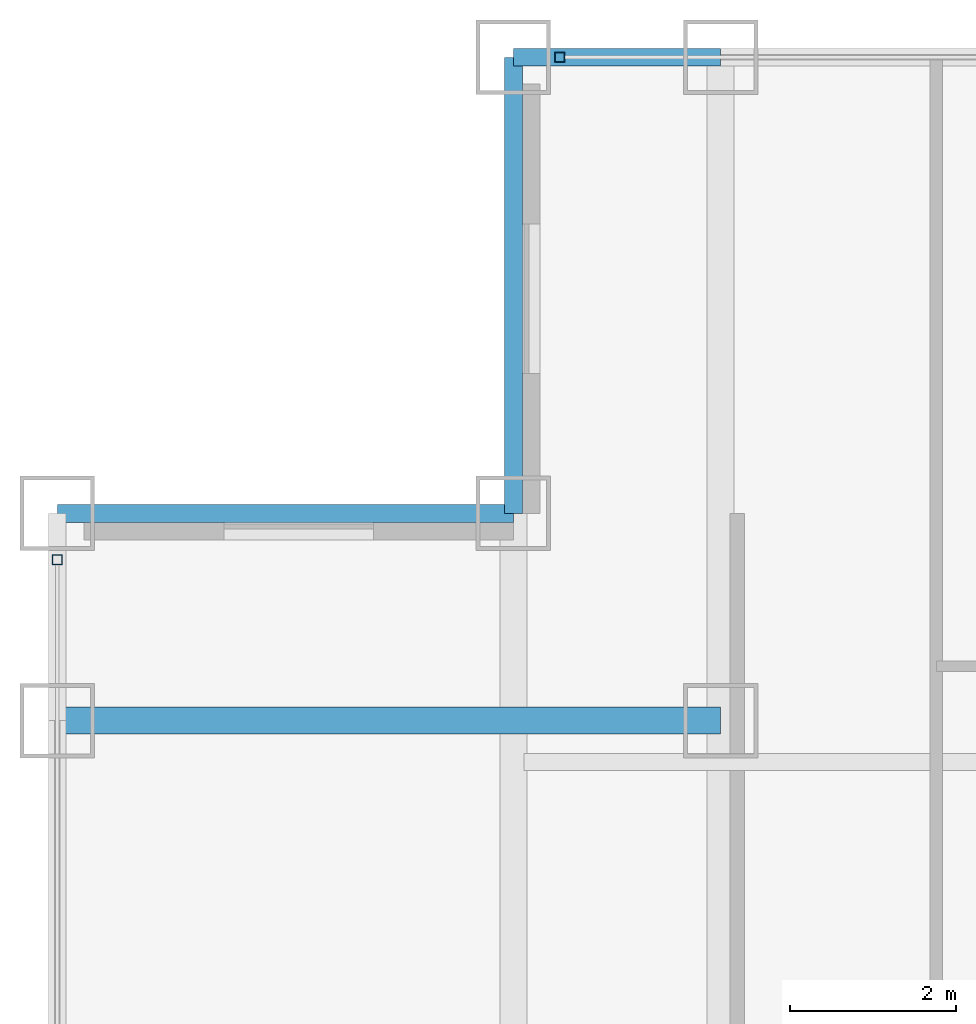
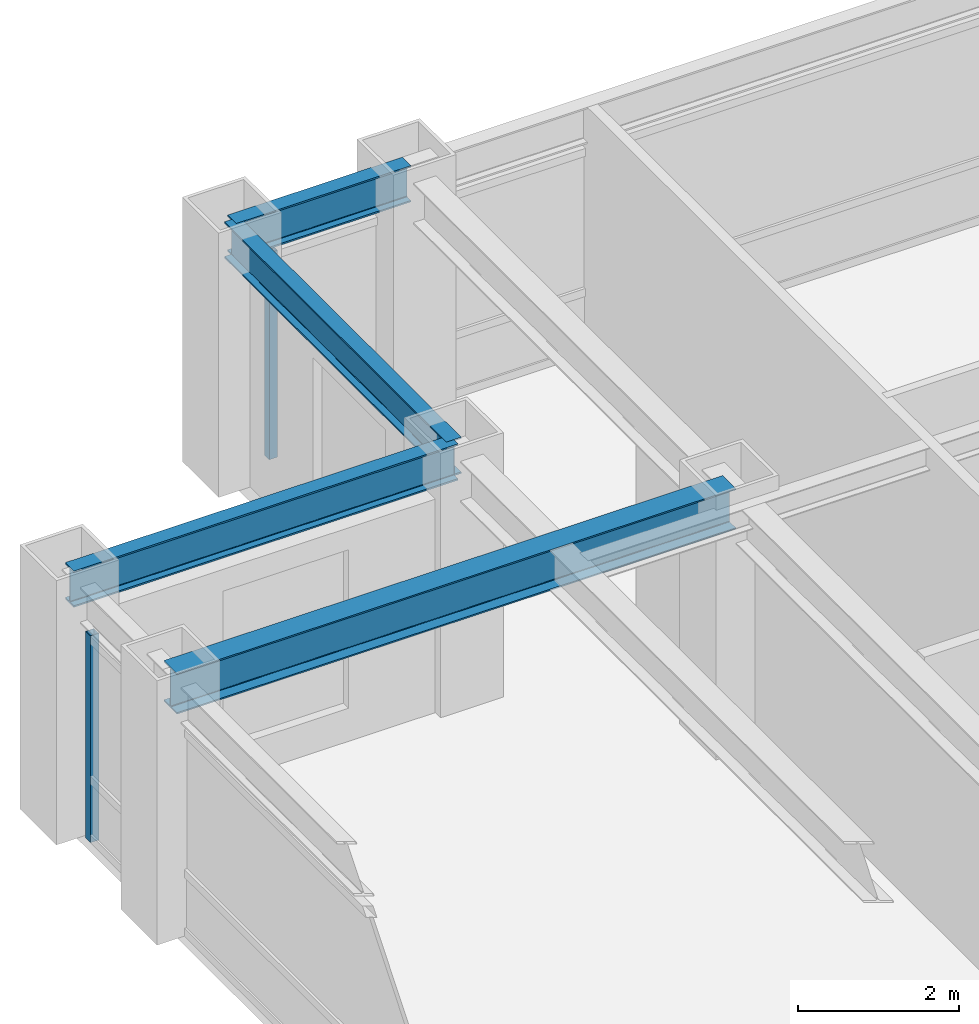
# One storey, part 12 of 22: 4 beams, 2 members, 2 elements without a shape of their own.
"""IFC4 building model written with IfcOpenShell, lengths in metres."""

from ifc_helpers import new_model, si_unit, direction, frame, origin, origin_2d, place, context, subcontext, project, spatial, hollow_rectangle, i_section, extrude, source, transform, mapped, material, material_profile, profile_set, type_object, element, aggregate, save


model = new_model("IFC4")

# Units and contexts
model_context = context("Model", 3, precision=1e-05, world=origin(), true_north=direction((0.0, 1.0)))
body_context = subcontext(model_context, "Body", "Model", "MODEL_VIEW")
ifc_project = project(units=[si_unit("LENGTHUNIT", "METRE"), si_unit("AREAUNIT", "SQUARE_METRE"), si_unit("VOLUMEUNIT", "CUBIC_METRE"), si_unit("PLANEANGLEUNIT", "RADIAN"), si_unit("MASSUNIT", "GRAM", prefix="KILO")], contexts=[model_context])

# Site, building, storey
site_placement = place(None, origin())
site = spatial("IfcSite", under=ifc_project, at=site_placement, CompositionType="ELEMENT")
building_placement = place(site_placement, origin())
building = spatial("IfcBuilding", under=site, at=building_placement, Name="Khorayat Bourse Tower", CompositionType="ELEMENT")
storey_placement = place(building_placement, frame((0.0, 0.0, 309.5)))
storey = spatial("IfcBuildingStorey", under=building, at=storey_placement, Name="L73", CompositionType="ELEMENT", Elevation=309.5)

# Beams
ifc_material_1 = material(Name="Steel ASTM A992 Grade 50", Category="steel")
ifc_material_profile_1 = material_profile(ifc_material_1, i_section(OverallWidth=0.324951171875, OverallDepth=0.615966796875, WebThickness=0.013916015625, FlangeThickness=0.021484375, FilletRadius=0.01611328125, at=origin_2d()), Name="W610X174")
ifc_profile_set_1 = profile_set([ifc_material_profile_1], Name="Steel ASTM A992 Grade 50")
beam_type_1 = type_object("IfcBeamType", Name="BM-GIRD-610", PredefinedType="BEAM", material=ifc_profile_set_1)
shared_shape_1 = source(origin(), body_context, "Body", "SweptSolid", [
    extrude(i_section(OverallWidth=0.324951171875, OverallDepth=0.615966796875, WebThickness=0.013916015625, FlangeThickness=0.021484375, FilletRadius=0.01611328125, at=origin_2d()), origin(), (0.0, 0.0, 1.0), 8.0),
])
beam_1_placement = place(storey_placement, frame((-28.0, 20.0, 3.471923828125), z_axis=(1.0, 0.0, 0.0), x_axis=(0.0, 1.0, 0.0)))
element("IfcBeam", 1, at=beam_1_placement, inside=storey, type_object=beam_type_1, Name="L73 BM-GIRD-610 BM-L73-CNRX-095", PredefinedType="BEAM", context=body_context, shape_type="MappedRepresentation", body=[
    mapped(shared_shape_1, transform((0.0, 0.0, 0.0), scale=1.0)),
])
ifc_material_profile_2 = material_profile(ifc_material_1, i_section(OverallWidth=0.214111328125, OverallDepth=0.549072265625, WebThickness=0.0146484375, FlangeThickness=0.023681640625, FilletRadius=0.013916015625, at=origin_2d()), Name="W530X138")
ifc_profile_set_2 = profile_set([ifc_material_profile_2], Name="Steel ASTM A992 Grade 50")
beam_type_2 = type_object("IfcBeamType", Name="BM-SPAN-530", PredefinedType="SPANDREL", material=ifc_profile_set_2)
shared_shape_2 = source(origin(), body_context, "Body", "SweptSolid", [
    extrude(i_section(OverallWidth=0.214111328125, OverallDepth=0.549072265625, WebThickness=0.0146484375, FlangeThickness=0.023681640625, FilletRadius=0.013916015625, at=origin_2d()), origin(), (0.0, 0.0, 1.0), 2.5),
])
beam_2_placement = place(storey_placement, frame((-22.5, 28.0, 3.505615234375), z_axis=(1.0, 0.0, 0.0), x_axis=(0.0, 1.0, 0.0)))
element("IfcBeam", 2, at=beam_2_placement, inside=storey, type_object=beam_type_2, Name="L73 BM-SPAN-530 BM-L73-SPN-051", PredefinedType="SPANDREL", context=body_context, shape_type="MappedRepresentation", body=[
    mapped(shared_shape_2, transform((0.0, 0.0, 0.0), scale=1.0)),
])
shared_shape_3 = source(origin(), body_context, "Body", "SweptSolid", [
    extrude(i_section(OverallWidth=0.214111328125, OverallDepth=0.549072265625, WebThickness=0.0146484375, FlangeThickness=0.023681640625, FilletRadius=0.013916015625, at=origin_2d()), origin(), (0.0, 0.0, 1.0), 5.5),
])
for number, where, z_axis, x_axis, name in (
    (3, (-22.5, 22.5, 3.505615234375), (0.0, 1.0, 0.0), (-1.0, 0.0, 0.0), "L73 BM-SPAN-530 BM-L73-SPN-052"),
    (4, (-28.0, 22.5, 3.505615234375), (1.0, 0.0, 0.0), (0.0, 1.0, 0.0), "L73 BM-SPAN-530 BM-L73-SPN-053"),
):
    element("IfcBeam", number, at=place(storey_placement, frame(where, z_axis=z_axis, x_axis=x_axis)), inside=storey, type_object=beam_type_2, Name=name, PredefinedType="SPANDREL", context=body_context, shape_type="MappedRepresentation", body=[
        mapped(shared_shape_3, transform((0.0, 0.0, 0.0), scale=1.0)),
    ])

# Curtain wall, member
ifc_material_2 = material(Name="Aluminium EN AW-6063 T6", Category="aluminium")
curtain_wall_type = type_object("IfcCurtainWallType", Name="CW-SYS-04", PredefinedType="NOTDEFINED", material=ifc_material_2)
curtain_wall_1_placement = place(storey_placement, origin())
curtain_wall_1 = element("IfcCurtainWall", 5, at=curtain_wall_1_placement, inside=storey, type_object=curtain_wall_type, Name="L73 Curtain Wall CW-L73-N1", PredefinedType="NOTDEFINED")
ifc_material_profile_3 = material_profile(ifc_material_2, hollow_rectangle(XDim=0.1201171875, YDim=0.1201171875, WallThickness=0.0048828125, at=origin_2d()), Name="ALU 120x120x5")
ifc_profile_set_3 = profile_set([ifc_material_profile_3], Name="Aluminium EN AW-6063 T6")
member_type = type_object("IfcMemberType", Name="CWM-VERT-120", PredefinedType="MULLION", material=ifc_profile_set_3)
shared_shape_4 = source(origin(), body_context, "Body", "SweptSolid", [
    extrude(hollow_rectangle(XDim=0.1201171875, YDim=0.1201171875, WallThickness=0.0048828125, at=origin_2d()), origin(), (0.0, 0.0, 1.0), 3.1298828125),
])
member_1_placement = place(storey_placement, frame((-21.93994140625, 28.0, 0.0), z_axis=(0.0, 0.0, 1.0), x_axis=(0.0, 1.0, 0.0)))
member_1 = element("IfcMember", 6, at=member_1_placement, type_object=member_type, Name="CW-L73-N1 Vertical Mullion 1", PredefinedType="MULLION", context=body_context, shape_type="MappedRepresentation", body=[
    mapped(shared_shape_4, transform((0.0, 0.0, 0.0), scale=1.0)),
])
aggregate(curtain_wall_1, [member_1])

curtain_wall_2_placement = place(storey_placement, origin())
curtain_wall_2 = element("IfcCurtainWall", 7, at=curtain_wall_2_placement, inside=storey, type_object=curtain_wall_type, Name="L73 Curtain Wall CW-L73-W1", PredefinedType="NOTDEFINED")
member_2_placement = place(storey_placement, frame((-28.0, 21.93994140625, 0.0), z_axis=(0.0, 0.0, 1.0), x_axis=(-1.0, 0.0, 0.0)))
member_2 = element("IfcMember", 8, at=member_2_placement, type_object=member_type, Name="CW-L73-W1 Vertical Mullion 3", PredefinedType="MULLION", context=body_context, shape_type="MappedRepresentation", body=[
    mapped(shared_shape_4, transform((0.0, 0.0, 0.0), scale=1.0)),
])
aggregate(curtain_wall_2, [member_2])

save(model, "model.ifc")
